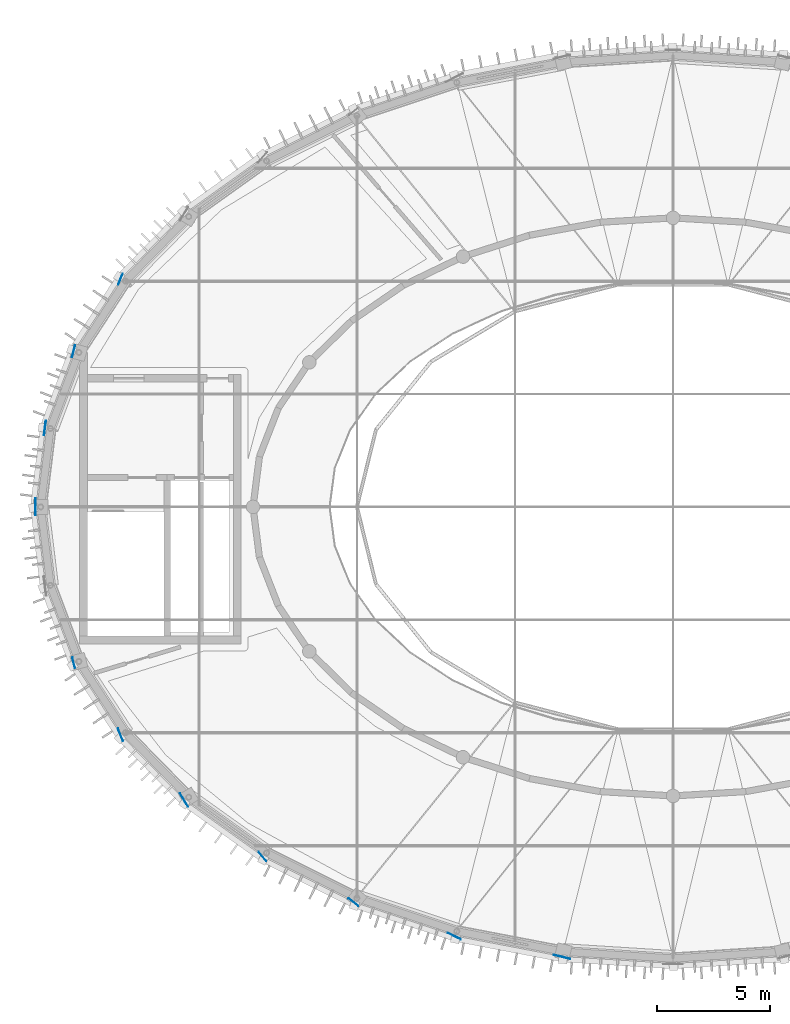
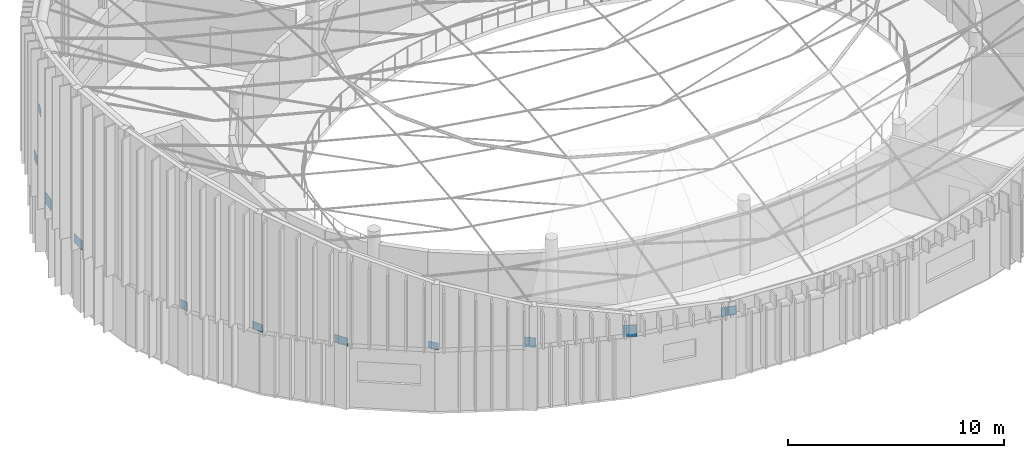
# One storey, part 21 of 36: 11 plates.
"""IFC4 building model written with IfcOpenShell, lengths in metres."""

from ifc_helpers import new_model, si_unit, direction, frame, origin, origin_2d, place, context, subcontext, project, spatial, rectangle, extrude, material, layer, layer_set, type_object, element, save


model = new_model("IFC4")

# Units and contexts
model_context = context("Model", 3, precision=1e-05, world=origin(), true_north=direction((0.0, 1.0)))
body_context = subcontext(model_context, "Body", "Model", "MODEL_VIEW")
ifc_project = project(units=[si_unit("LENGTHUNIT", "METRE"), si_unit("AREAUNIT", "SQUARE_METRE"), si_unit("VOLUMEUNIT", "CUBIC_METRE"), si_unit("PLANEANGLEUNIT", "RADIAN"), si_unit("MASSUNIT", "GRAM", prefix="KILO")], contexts=[model_context])

# Site, building, storey
site_placement = place(None, origin())
site = spatial("IfcSite", under=ifc_project, at=site_placement, CompositionType="ELEMENT")
building_placement = place(site_placement, origin())
building = spatial("IfcBuilding", under=site, at=building_placement, Name="Tarnveldt Headland Concert Hall", CompositionType="ELEMENT")
storey_placement = place(building_placement, frame((0.0, 0.0, 22.800048828125)))
storey = spatial("IfcBuildingStorey", under=building, at=storey_placement, Name="L05", CompositionType="ELEMENT", Elevation=22.800048828125)

# Plates
ifc_material = material(Name="Steel S355", Category="steel")
ifc_layer_1 = layer(ifc_material, 0.02392578125, Name="Steel S355", Category="steel")
ifc_layer_set_1 = layer_set([ifc_layer_1], Name="Steel S355")
plate_type_1 = type_object("IfcPlateType", Name="NP-01", PredefinedType="SHEET", material=ifc_layer_set_1)
for number, where, z_axis, x_axis, name in (
    (1, (56.956298828125, 61.40087890625, 3.52490234375), (0.0, 0.0, 1.0), (-0.251562632376, -0.967841021032, 0.0), "Ring-beam cable anchorage plate 17"),
    (2, (69.34912109375, 36.992919921875, 3.52490234375), (0.0, 0.0, 1.0), (0.777694851116, -0.628641963719, 0.0), "Ring-beam cable anchorage plate 25"),
):
    element("IfcPlate", number, at=place(storey_placement, frame(where, z_axis=z_axis, x_axis=x_axis)), inside=storey, type_object=plate_type_1, Name=name, PredefinedType="SHEET", context=body_context, shape_type="SweptSolid", body=[
        extrude(rectangle(XDim=0.550048828125, YDim=0.02392578125, at=origin_2d()), origin(), (0.0, 0.0, 1.0), 0.550048828125),
    ])
ifc_layer_2 = layer(ifc_material, 0.02587890625, Name="Steel S355", Category="steel")
ifc_layer_set_2 = layer_set([ifc_layer_2], Name="Steel S355")
plate_type_2 = type_object("IfcPlateType", Name="NP-02", PredefinedType="SHEET", material=ifc_layer_set_2)
for number, where, z_axis, x_axis, name in (
    (3, (55.687255859375, 58.0029296875, 3.47509765625), (0.0, 0.0, 1.0), (-0.124986912574, -0.992158390422, 0.0), "Ring-beam cable anchorage plate 18"),
    (4, (73.814453125, 35.4921875, 3.47509765625), (0.0, 0.0, 1.0), (0.891006524188, -0.45399049974, 0.0), "Ring-beam cable anchorage plate 26"),
):
    element("IfcPlate", number, at=place(storey_placement, frame(where, z_axis=z_axis, x_axis=x_axis)), inside=storey, type_object=plate_type_2, Name=name, PredefinedType="SHEET", context=body_context, shape_type="SweptSolid", body=[
        extrude(rectangle(XDim=0.64990234375, YDim=0.02587890625, at=origin_2d()), origin(), (0.0, 0.0, 1.0), 0.64990234375),
    ])
ifc_layer_3 = layer(ifc_material, 0.02490234375, Name="Steel S355", Category="steel")
ifc_layer_set_3 = layer_set([ifc_layer_3], Name="Steel S355")
plate_type_3 = type_object("IfcPlateType", Name="NP-03", PredefinedType="SHEET", material=ifc_layer_set_3)
for number, where, z_axis, x_axis, name in (
    (5, (55.260009765625, 54.5, 3.550048828125), (0.0, 0.0, 1.0), (0.0, -1.0, 0.0), "Ring-beam cable anchorage plate 19"),
    (6, (78.580322265625, 34.57080078125, 3.550048828125), (0.0, 0.0, 1.0), (0.970842131618, -0.239719743609, 0.0), "Ring-beam cable anchorage plate 27"),
):
    element("IfcPlate", number, at=place(storey_placement, frame(where, z_axis=z_axis, x_axis=x_axis)), inside=storey, type_object=plate_type_3, Name=name, PredefinedType="SHEET", context=body_context, shape_type="SweptSolid", body=[
        extrude(rectangle(XDim=0.75, YDim=0.02490234375, at=origin_2d()), origin(), (0.0, 0.0, 1.0), 0.5),
    ])
ifc_layer_4 = layer(ifc_material, 0.02001953125, Name="Steel S355", Category="steel")
ifc_layer_set_4 = layer_set([ifc_layer_4], Name="Steel S355")
plate_type_4 = type_object("IfcPlateType", Name="NP-05", PredefinedType="SHEET", material=ifc_layer_set_4)
plate_1_placement = place(storey_placement, frame((56.956298828125, 47.59912109375, 3.56005859375), z_axis=(0.0, 0.0, 1.0), x_axis=(0.251562632376, -0.967841021032, 0.0)))
element("IfcPlate", 7, at=plate_1_placement, inside=storey, type_object=plate_type_4, Name="Ring-beam cable anchorage plate 21", PredefinedType="SHEET", context=body_context, shape_type="SweptSolid", body=[
    extrude(rectangle(XDim=0.47998046875, YDim=0.02001953125, at=origin_2d()), origin(), (0.0, 0.0, 1.0), 0.47998046875),
])
ifc_layer_5 = layer(ifc_material, 0.02197265625, Name="Steel S355", Category="steel")
ifc_layer_set_5 = layer_set([ifc_layer_5], Name="Steel S355")
plate_type_5 = type_object("IfcPlateType", Name="NP-06", PredefinedType="SHEET", material=ifc_layer_set_5)
plate_2_placement = place(storey_placement, frame((59.029296875, 44.408447265625, 3.590087890625), z_axis=(0.0, 0.0, 1.0), x_axis=(0.381231734269, -0.924479510204, 0.0)))
element("IfcPlate", 8, at=plate_2_placement, inside=storey, type_object=plate_type_5, Name="Ring-beam cable anchorage plate 22", PredefinedType="SHEET", context=body_context, shape_type="SweptSolid", body=[
    extrude(rectangle(XDim=0.60009765625, YDim=0.02197265625, at=origin_2d()), origin(), (0.0, 0.0, 1.0), 0.419921875),
])
ifc_layer_6 = layer(ifc_material, 0.02392578125, Name="Steel S355", Category="steel")
ifc_layer_set_6 = layer_set([ifc_layer_6], Name="Steel S355")
plate_type_6 = type_object("IfcPlateType", Name="NP-07", PredefinedType="SHEET", material=ifc_layer_set_6)
plate_3_placement = place(storey_placement, frame((61.844970703125, 41.520751953125, 3.5751953125), z_axis=(0.0, 0.0, 1.0), x_axis=(0.514140169175, -0.85770617722, 0.0)))
element("IfcPlate", 9, at=plate_3_placement, inside=storey, type_object=plate_type_6, Name="Ring-beam cable anchorage plate 23", PredefinedType="SHEET", context=body_context, shape_type="SweptSolid", body=[
    extrude(rectangle(XDim=0.699951171875, YDim=0.02392578125, at=origin_2d()), origin(), (0.0, 0.0, 1.0), 0.449951171875),
])
ifc_layer_7 = layer(ifc_material, 0.01806640625, Name="Steel S355", Category="steel")
ifc_layer_set_7 = layer_set([ifc_layer_7], Name="Steel S355")
plate_type_7 = type_object("IfcPlateType", Name="NP-08", PredefinedType="SHEET", material=ifc_layer_set_7)
for number, where, z_axis, x_axis, name in (
    (10, (59.029296875, 64.591552734375, 3.610107421875), (0.0, 0.0, 1.0), (-0.381231734269, -0.924479510204, 0.0), "Ring-beam cable anchorage plate 16"),
    (11, (65.319091796875, 39.0234375, 3.610107421875), (0.0, 0.0, 1.0), (0.648252804699, -0.761425177676, 0.0), "Ring-beam cable anchorage plate 24"),
):
    element("IfcPlate", number, at=place(storey_placement, frame(where, z_axis=z_axis, x_axis=x_axis)), inside=storey, type_object=plate_type_7, Name=name, PredefinedType="SHEET", context=body_context, shape_type="SweptSolid", body=[
        extrude(rectangle(XDim=0.52001953125, YDim=0.01806640625, at=origin_2d()), origin(), (0.0, 0.0, 1.0), 0.3798828125),
    ])

save(model, "model.ifc")
